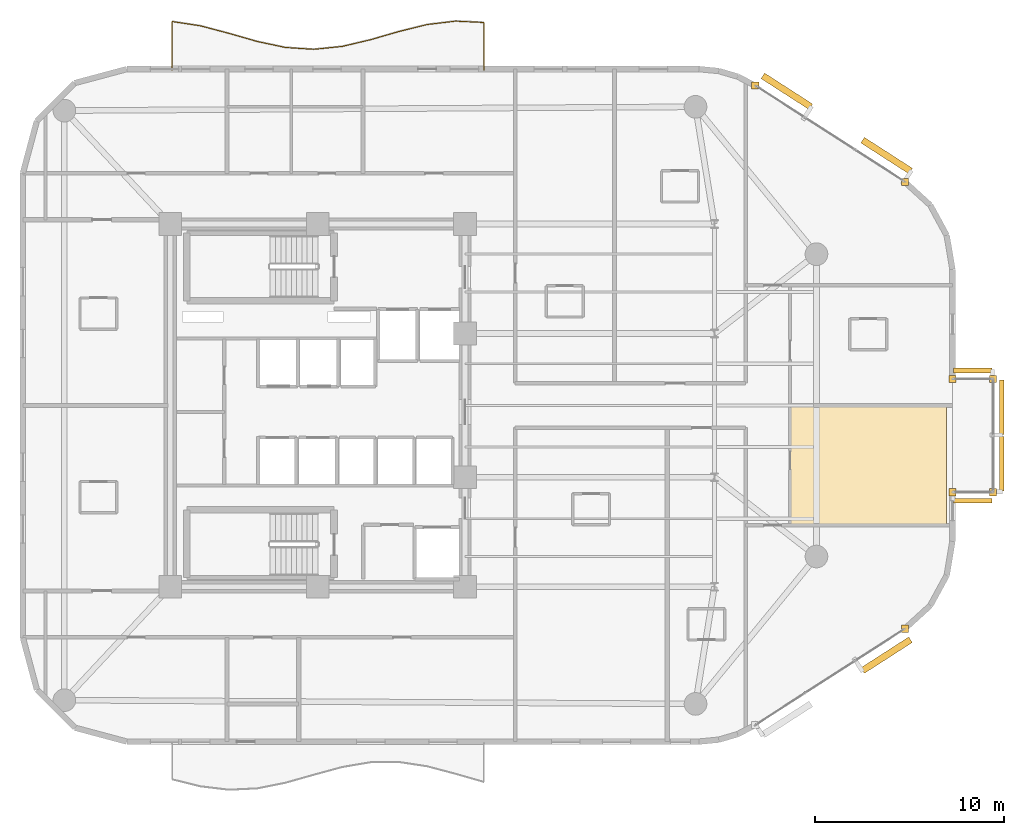
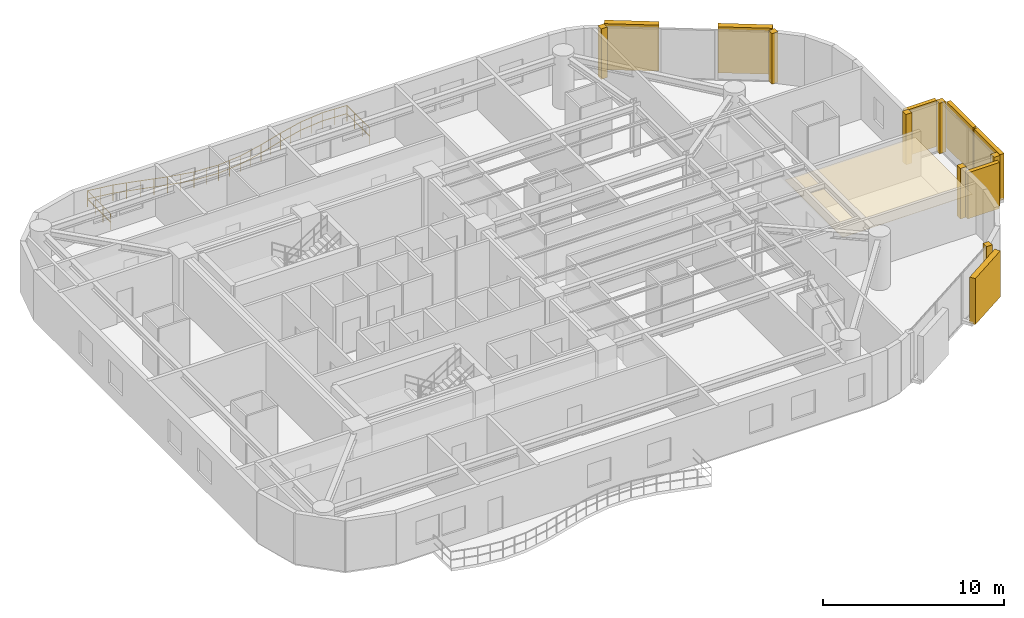
# One storey, part 16 of 16: 8 coverings, 7 shading devices, 1 railing.
"""IFC4 building model written with IfcOpenShell, lengths in metres."""

import ifcopenshell
import ifcopenshell.guid

model = None  # the IFC model being written
_history = None  # IfcOwnerHistory: only IFC2X3 demands one
_inside = {}  # id of a spatial element -> (the spatial element, [elements in it])
_under = {}  # id of a project, library or spatial element -> (it, [spatial elements below it])
_declared = {}  # id of a project -> (the project, [libraries it declares])
_typed = {}  # id of a type object -> (the type object, [elements of that type])
_made_of = {}  # id of a material, layer set ... -> (it, [elements and type objects made of it])


def new_model(schema):
    """Start an empty IFC model of exactly this schema.

    Asked for "IFC4X3", IfcOpenShell would pick the latest addendum, in which some entities
    have other attributes; the version numbers below select the first issue.
    IFC2X3 requires an IfcOwnerHistory on every rooted entity: one is made here for all.
    """
    global model, _history
    if schema == "IFC4X3":
        model = ifcopenshell.file(schema_version=(4, 3, 0, 0))
    else:
        model = ifcopenshell.file(schema=schema)
    _inside.clear()
    _under.clear()
    _declared.clear()
    _typed.clear()
    _made_of.clear()
    _history = None
    if model.schema == "IFC2X3":
        org = make("IfcOrganization", Name="unknown")
        user = make(
            "IfcPersonAndOrganization",
            ThePerson=make("IfcPerson", FamilyName="unknown"),
            TheOrganization=org,
        )
        app = make(
            "IfcApplication",
            ApplicationDeveloper=org,
            Version="unknown",
            ApplicationFullName="unknown",
            ApplicationIdentifier="unknown",
        )
        _history = make(
            "IfcOwnerHistory",
            OwningUser=user,
            OwningApplication=app,
            ChangeAction="ADDED",
            CreationDate=0,
        )
    return model


def make(cls, **values):
    """One entity of the class cls with the attributes given. An attribute that is None is left unset."""
    return model.create_entity(
        cls, **{name: value for name, value in values.items() if value is not None}
    )


def rooted(cls, **values):
    """An entity with a GlobalId (a new one), such as an element, a storey or a relation."""
    return make(cls, GlobalId=ifcopenshell.guid.new(), OwnerHistory=_history, **values)


def si_unit(unit_type, name, prefix=None):
    """IfcSIUnit, for example si_unit("LENGTHUNIT", "METRE", prefix="MILLI")."""
    return make("IfcSIUnit", UnitType=unit_type, Prefix=prefix, Name=name)


def assignment(units):
    """IfcUnitAssignment: the units of a project."""
    return None if units is None else make("IfcUnitAssignment", Units=units)


def point(xyz):
    """IfcCartesianPoint."""
    return None if xyz is None else make("IfcCartesianPoint", Coordinates=xyz)


def direction(xyz):
    """IfcDirection."""
    return None if xyz is None else make("IfcDirection", DirectionRatios=xyz)


def frame(location, z_axis=None, x_axis=None):
    """IfcAxis2Placement3D, a coordinate frame: its origin and axes. An axis left out is left unset."""
    return make(
        "IfcAxis2Placement3D",
        Location=point(location),
        Axis=direction(z_axis),
        RefDirection=direction(x_axis),
    )


def frame_2d(location, x_axis=None):
    """IfcAxis2Placement2D, a coordinate frame in the plane: its origin and x axis."""
    return make(
        "IfcAxis2Placement2D", Location=point(location), RefDirection=direction(x_axis)
    )


def origin():
    """The frame at (0, 0, 0) with its axes left unset."""
    return frame((0.0, 0.0, 0.0))


def origin_2d():
    """The frame at (0, 0) in the plane with its x axis left unset."""
    return frame_2d((0.0, 0.0))


def place(relative_to, where):
    """IfcLocalPlacement: puts the frame where relative to a parent placement (None: the world)."""
    return make(
        "IfcLocalPlacement", PlacementRelTo=relative_to, RelativePlacement=where
    )


def context(
    kind, dimensions, precision=None, world=None, true_north=None, identifier=None
):
    """IfcGeometricRepresentationContext, for example the 3D "Model" context."""
    return make(
        "IfcGeometricRepresentationContext",
        ContextIdentifier=identifier,
        ContextType=kind,
        CoordinateSpaceDimension=dimensions,
        Precision=precision,
        WorldCoordinateSystem=world,
        TrueNorth=true_north,
    )


def subcontext(parent, identifier, kind, view, scale=None):
    """IfcGeometricRepresentationSubContext, for example "Body" below "Model"."""
    return make(
        "IfcGeometricRepresentationSubContext",
        ContextIdentifier=identifier,
        ContextType=kind,
        ParentContext=parent,
        TargetScale=scale,
        TargetView=view,
    )


def project(units=None, contexts=None):
    """IfcProject with its units and contexts."""
    return rooted(
        "IfcProject",
        Name="project",
        RepresentationContexts=contexts,
        UnitsInContext=assignment(units),
    )


def spatial(cls, under=None, at=None, **own):
    """A site, building, storey or space (cls), placed at a placement, below another one or the project."""
    s = rooted(cls, ObjectPlacement=at, **own)
    if under is not None:
        _under.setdefault(under.id(), (under, []))[1].append(s)
    return s


def polyline(points):
    """IfcPolyline through the points."""
    return make("IfcPolyline", Points=[point(p) for p in points])


def profile(cls, at=None, kind="AREA", **sizes):
    """A parametric profile (cls). Its sizes go by their IFC names, for example OverallWidth=200.0."""
    return make(cls, ProfileType=kind, Position=at, **sizes)


def rectangle(**sizes):
    """IfcRectangleProfileDef."""
    return profile("IfcRectangleProfileDef", **sizes)


def circle(**sizes):
    """IfcCircleProfileDef."""
    return profile("IfcCircleProfileDef", **sizes)


def outline(outer, holes=None, kind="AREA"):
    """IfcArbitraryClosedProfileDef: a profile drawn as a closed curve; with holes, ...WithVoids."""
    if holes is None:
        return make("IfcArbitraryClosedProfileDef", ProfileType=kind, OuterCurve=outer)
    return make(
        "IfcArbitraryProfileDefWithVoids",
        ProfileType=kind,
        OuterCurve=outer,
        InnerCurves=holes,
    )


def extrude(swept, where, along, depth):
    """IfcExtrudedAreaSolid: the profile swept, set in the frame where, extruded along a direction by depth."""
    return make(
        "IfcExtrudedAreaSolid",
        SweptArea=swept,
        Position=where,
        ExtrudedDirection=direction(along),
        Depth=depth,
    )


def shape(context_of_items, identifier, shape_type, items):
    """IfcShapeRepresentation: the items that make up one representation, for example the "Body"."""
    return make(
        "IfcShapeRepresentation",
        ContextOfItems=context_of_items,
        RepresentationIdentifier=identifier,
        RepresentationType=shape_type,
        Items=items,
    )


def material(Name=None, Category=None):
    """IfcMaterial."""
    return make("IfcMaterial", Name=Name, Category=Category)


def layer(
    of_material, thickness, ventilated=None, Name=None, Category=None, Priority=None
):
    """IfcMaterialLayer: one layer of a wall or slab, of a material (None: an air gap)."""
    return make(
        "IfcMaterialLayer",
        Material=of_material,
        LayerThickness=thickness,
        IsVentilated=ventilated,
        Name=Name,
        Category=Category,
        Priority=Priority,
    )


def layer_set(layers, Name=None):
    """IfcMaterialLayerSet."""
    return make("IfcMaterialLayerSet", MaterialLayers=layers, LayerSetName=Name)


def made_of(thing, what):
    """Note that an element or type object is made of a material, layer set ...; save() writes the relation."""
    if what is not None:
        _made_of.setdefault(what.id(), (what, []))[1].append(thing)
    return thing


def type_object(cls, material=None, **own):
    """A type object (cls), such as IfcWallType, which elements share."""
    return made_of(rooted(cls, **own), material)


def element(
    cls,
    number,
    at=None,
    inside=None,
    cuts=None,
    type_object=None,
    material=None,
    context=None,
    identifier="Body",
    shape_type=None,
    held_by="IfcProductDefinitionShape",
    body=None,
    shapes=None,
    **own,
):
    """One element of the class cls, such as IfcWall. Its Tag is "e" and its number.

    at: its placement. inside: the storey or other place that contains it. cuts: it is an
    opening in that element (IfcRelVoidsElement). A single representation is given by context,
    identifier, shape_type and body (its items); several are given by shapes. held_by: the class
    of the entity that holds the representations. save() writes the other relations.
    """
    e = rooted(cls, Tag="e%d" % number, ObjectPlacement=at, **own)
    if body is not None:
        shapes = [shape(context, identifier, shape_type, body)]
    if shapes is not None:
        e.Representation = make(held_by, Representations=shapes)
    if inside is not None:
        _inside.setdefault(inside.id(), (inside, []))[1].append(e)
    if cuts is not None:
        rooted(
            "IfcRelVoidsElement", RelatingBuildingElement=cuts, RelatedOpeningElement=e
        )
    if type_object is not None:
        _typed.setdefault(type_object.id(), (type_object, []))[1].append(e)
    return made_of(e, material)


def aggregate(whole, parts):
    """IfcRelAggregates: a whole, such as a stair, and the parts it consists of."""
    return rooted("IfcRelAggregates", RelatingObject=whole, RelatedObjects=parts)


def save(model, path):
    """Write the relations noted so far, then the file.

    IfcRelAggregates (storeys below a building ...), IfcRelContainedInSpatialStructure (elements
    in a storey), IfcRelDefinesByType, IfcRelAssociatesMaterial and IfcRelDeclares: one each for
    every whole, place, type object, material and project.
    """
    for whole, parts in _under.values():
        aggregate(whole, parts)
    for where, things in _inside.values():
        rooted(
            "IfcRelContainedInSpatialStructure",
            RelatedElements=things,
            RelatingStructure=where,
        )
    for kind, things in _typed.values():
        rooted("IfcRelDefinesByType", RelatedObjects=things, RelatingType=kind)
    for what, things in _made_of.values():
        rooted("IfcRelAssociatesMaterial", RelatedObjects=things, RelatingMaterial=what)
    for by, libraries in _declared.values():
        rooted("IfcRelDeclares", RelatingContext=by, RelatedDefinitions=libraries)
    model.write(path)


model = new_model("IFC4")

# Units and contexts
model_context = context("Model", 3, precision=1e-05, world=origin(), true_north=direction((0.0, 1.0)))
body_context = subcontext(model_context, "Body", "Model", "MODEL_VIEW")
ifc_project = project(units=[si_unit("LENGTHUNIT", "METRE"), si_unit("AREAUNIT", "SQUARE_METRE"), si_unit("VOLUMEUNIT", "CUBIC_METRE"), si_unit("PLANEANGLEUNIT", "RADIAN"), si_unit("MASSUNIT", "GRAM", prefix="KILO")], contexts=[model_context])

# Site, building, storey
site_placement = place(None, origin())
site = spatial("IfcSite", under=ifc_project, at=site_placement, CompositionType="ELEMENT")
building_placement = place(site_placement, origin())
building = spatial("IfcBuilding", under=site, at=building_placement, Name="An Khanh Terracotta Commons", CompositionType="ELEMENT")
storey_placement = place(building_placement, frame((0.0, 0.0, 151.0)))
storey = spatial("IfcBuildingStorey", under=building, at=storey_placement, Name="L39", CompositionType="ELEMENT", Elevation=151.0)

# Coverings
ifc_material_1 = material(Name="Perforated Mineral-Fibre Acoustic Tile")
ifc_layer_1 = layer(ifc_material_1, 0.02001953125, Name="Perforated Mineral-Fibre Acoustic Tile")
ifc_layer_set_1 = layer_set([ifc_layer_1], Name="Perforated Mineral-Fibre Acoustic Tile")
covering_type_1 = type_object("IfcCoveringType", Name="CEIL-ACOUSTIC-18", PredefinedType="CEILING", material=ifc_layer_set_1)
covering_placement = place(storey_placement, frame((0.0, 0.0, 2.64990234375)))
element("IfcCovering", 1, at=covering_placement, inside=storey, type_object=covering_type_1, Name="L39 Riverfront Study Lounge Ceiling", PredefinedType="CEILING", context=body_context, shape_type="SweptSolid", body=[
    extrude(outline(polyline([(62.679931640625, 17.64990234375), (54.39990234375, 17.64990234375), (54.39990234375, 22.820068359375), (54.39990234375, 24.0), (62.679931640625, 24.0), (62.679931640625, 17.64990234375)])), origin(), (0.0, 0.0, 1.0), 0.02001953125),
])
ifc_material_2 = material(Name="Fired Terracotta Rainscreen Cladding", Category="masonry")
ifc_layer_2 = layer(ifc_material_2, 0.080078125, Name="Fired Terracotta Rainscreen Cladding")
ifc_layer_set_2 = layer_set([ifc_layer_2], Name="Fired Terracotta Rainscreen Cladding")
covering_type_2 = type_object("IfcCoveringType", Name="COV-JAMB-TERRA", PredefinedType="CLADDING", material=ifc_layer_set_2)
for number, where, z_axis, x_axis, name in (
    (2, (60.47802734375, 12.176025390625, 0.0), (0.0, 0.0, 1.0), (1.0, 0.0, 0.0), "L39 CW-03 Curtain-Wall Jamb Closure JB"),
    (3, (65.14990234375, 19.39990234375, 0.0), (0.0, 0.0, 1.0), (1.0, 0.0, 0.0), "L39 CW-04 Curtain-Wall Jamb Closure JA"),
    (4, (65.14990234375, 25.39990234375, 0.0), (0.0, 0.0, 1.0), (1.0, 0.0, 0.0), "L39 CW-04 Curtain-Wall Jamb Closure JB"),
    (5, (63.0, 19.39990234375, 0.0), (0.0, 0.0, 1.0), (1.0, 0.0, 0.0), "L39 CW-04 Curtain-Wall Jamb Closure JA"),
    (6, (63.0, 25.39990234375, 0.0), (0.0, 0.0, 1.0), (1.0, 0.0, 0.0), "L39 CW-04 Curtain-Wall Jamb Closure JB"),
    (7, (60.47802734375, 35.823974609375, 0.0), (0.0, 0.0, 1.0), (1.0, 0.0, 0.0), "L39 CW-03 Curtain-Wall Jamb Closure JA"),
    (8, (52.56005859375, 40.924072265625, 0.0), (0.0, 0.0, 1.0), (1.0, 0.0, 0.0), "L39 CW-03 Curtain-Wall Jamb Closure JB"),
):
    element("IfcCovering", number, at=place(storey_placement, frame(where, z_axis=z_axis, x_axis=x_axis)), inside=storey, type_object=covering_type_2, Name=name, PredefinedType="CLADDING", context=body_context, shape_type="SweptSolid", body=[
        extrude(rectangle(XDim=0.3798828125, YDim=0.3798828125, at=origin_2d()), origin(), (0.0, 0.0, 1.0), 3.39990234375),
    ])

# Railing
ifc_material_3 = material(Name="Brushed Stainless Steel 316", Category="steel")
railing_type = type_object("IfcRailingType", Name="RAIL-BALUSTRADE-1100", PredefinedType="BALUSTRADE", material=ifc_material_3)
railing_placement = place(storey_placement, frame((38.199951171875, 41.739990234375, 0.0)))
element("IfcRailing", 9, at=railing_placement, inside=storey, type_object=railing_type, Name="L39 N Wave Balcony Guard Balustrade", PredefinedType="BALUSTRADE", context=body_context, shape_type="SweptSolid", body=[
    extrude(circle(Radius=0.02392578125, at=origin_2d()), frame((0.0, 0.0, 1.076171875), z_axis=(0.0, 1.0, 0.0), x_axis=(-1.0, 0.0, 0.0)), (0.0, 0.0, 1.0), 2.52294921875),
    extrude(circle(Radius=0.02392578125, at=origin_2d()), frame((0.0, 0.0, 0.52587890625), z_axis=(0.0, 1.0, 0.0), x_axis=(-1.0, 0.0, 0.0)), (0.0, 0.0, 1.0), 2.52294921875),
    extrude(circle(Radius=0.02392578125, at=origin_2d()), frame((0.0, 2.52294921875, 1.076171875), z_axis=(-0.998880243389, 0.047310245903, 0.0), x_axis=(-0.047310245903, -0.998880243389, 0.0)), (0.0, 0.0, 1.0), 1.501708984375),
    extrude(circle(Radius=0.02392578125, at=origin_2d()), frame((0.0, 2.52294921875, 0.52587890625), z_axis=(-0.998880243389, 0.047310245903, 0.0), x_axis=(-0.047310245903, -0.998880243389, 0.0)), (0.0, 0.0, 1.0), 1.501708984375),
    extrude(circle(Radius=0.02392578125, at=origin_2d()), frame((-1.5, 2.593994140625, 1.076171875), z_axis=(-0.99288219023, -0.11910061429, 0.0), x_axis=(0.11910061429, -0.99288219023, 0.0)), (0.0, 0.0, 1.0), 1.5107421875),
    extrude(circle(Radius=0.02392578125, at=origin_2d()), frame((-1.5, 2.593994140625, 0.52587890625), z_axis=(-0.99288219023, -0.11910061429, 0.0), x_axis=(0.11910061429, -0.99288219023, 0.0)), (0.0, 0.0, 1.0), 1.5107421875),
    extrude(circle(Radius=0.02392578125, at=origin_2d()), frame((-3.0, 2.4140625, 1.076171875), z_axis=(-0.970881568768, -0.239559970419, 0.0), x_axis=(0.239559970419, -0.970881568768, 0.0)), (0.0, 0.0, 1.0), 1.544921875),
    extrude(circle(Radius=0.02392578125, at=origin_2d()), frame((-3.0, 2.4140625, 0.52587890625), z_axis=(-0.970881568768, -0.239559970419, 0.0), x_axis=(0.239559970419, -0.970881568768, 0.0)), (0.0, 0.0, 1.0), 1.544921875),
    extrude(circle(Radius=0.02392578125, at=origin_2d()), frame((-4.5, 2.0439453125, 1.076171875), z_axis=(-0.960460913759, -0.278414857976, 0.0), x_axis=(0.278414857976, -0.960460913759, 0.0)), (0.0, 0.0, 1.0), 1.561767578125),
    extrude(circle(Radius=0.02392578125, at=origin_2d()), frame((-4.5, 2.0439453125, 0.52587890625), z_axis=(-0.960460913759, -0.278414857976, 0.0), x_axis=(0.278414857976, -0.960460913759, 0.0)), (0.0, 0.0, 1.0), 1.561767578125),
    extrude(circle(Radius=0.02392578125, at=origin_2d()), frame((-6.0, 1.609130859375, 1.076171875), z_axis=(-0.973263214687, -0.229692653206, 0.0), x_axis=(0.229692653206, -0.973263214687, 0.0)), (0.0, 0.0, 1.0), 1.541259765625),
    extrude(circle(Radius=0.02392578125, at=origin_2d()), frame((-6.0, 1.609130859375, 0.52587890625), z_axis=(-0.973263214687, -0.229692653206, 0.0), x_axis=(0.229692653206, -0.973263214687, 0.0)), (0.0, 0.0, 1.0), 1.541259765625),
    extrude(circle(Radius=0.02392578125, at=origin_2d()), frame((-7.5, 1.255126953125, 1.076171875), z_axis=(-0.994833141332, -0.101523499286, 0.0), x_axis=(0.101523499286, -0.994833141332, 0.0)), (0.0, 0.0, 1.0), 1.5078125),
    extrude(circle(Radius=0.02392578125, at=origin_2d()), frame((-7.5, 1.255126953125, 0.52587890625), z_axis=(-0.994833141332, -0.101523499286, 0.0), x_axis=(0.101523499286, -0.994833141332, 0.0)), (0.0, 0.0, 1.0), 1.5078125),
    extrude(circle(Radius=0.02392578125, at=origin_2d()), frame((-9.0, 1.10205078125, 1.076171875), z_axis=(-0.99787689467, 0.065128358523, 0.0), x_axis=(-0.065128358523, -0.99787689467, 0.0)), (0.0, 0.0, 1.0), 1.503173828125),
    extrude(circle(Radius=0.02392578125, at=origin_2d()), frame((-9.0, 1.10205078125, 0.52587890625), z_axis=(-0.99787689467, 0.065128358523, 0.0), x_axis=(-0.065128358523, -0.99787689467, 0.0)), (0.0, 0.0, 1.0), 1.503173828125),
    extrude(circle(Radius=0.02392578125, at=origin_2d()), frame((-10.5, 1.199951171875, 1.076171875), z_axis=(-0.978242938641, 0.207462654468, 0.0), x_axis=(-0.207462654468, -0.978242938641, 0.0)), (0.0, 0.0, 1.0), 1.533447265625),
    extrude(circle(Radius=0.02392578125, at=origin_2d()), frame((-10.5, 1.199951171875, 0.52587890625), z_axis=(-0.978242938641, 0.207462654468, 0.0), x_axis=(-0.207462654468, -0.978242938641, 0.0)), (0.0, 0.0, 1.0), 1.533447265625),
    extrude(circle(Radius=0.02392578125, at=origin_2d()), frame((-12.0, 1.51806640625, 1.076171875), z_axis=(-0.961293347262, 0.275526950607, 0.0), x_axis=(-0.275526950607, -0.961293347262, 0.0)), (0.0, 0.0, 1.0), 1.560302734375),
    extrude(circle(Radius=0.02392578125, at=origin_2d()), frame((-12.0, 1.51806640625, 0.52587890625), z_axis=(-0.961293347262, 0.275526950607, 0.0), x_axis=(-0.275526950607, -0.961293347262, 0.0)), (0.0, 0.0, 1.0), 1.560302734375),
    extrude(circle(Radius=0.02392578125, at=origin_2d()), frame((-13.5, 1.947998046875, 1.076171875), z_axis=(-0.966718963822, 0.255840663277, 0.0), x_axis=(-0.255840663277, -0.966718963822, 0.0)), (0.0, 0.0, 1.0), 1.5517578125),
    extrude(circle(Radius=0.02392578125, at=origin_2d()), frame((-13.5, 1.947998046875, 0.52587890625), z_axis=(-0.966718963822, 0.255840663277, 0.0), x_axis=(-0.255840663277, -0.966718963822, 0.0)), (0.0, 0.0, 1.0), 1.5517578125),
    extrude(circle(Radius=0.02392578125, at=origin_2d()), frame((-15.0, 2.344970703125, 1.076171875), z_axis=(-0.988545890906, 0.15092058035, 0.0), x_axis=(-0.15092058035, -0.988545890906, 0.0)), (0.0, 0.0, 1.0), 1.517333984375),
    extrude(circle(Radius=0.02392578125, at=origin_2d()), frame((-15.0, 2.344970703125, 0.52587890625), z_axis=(-0.988545890906, 0.15092058035, 0.0), x_axis=(-0.15092058035, -0.988545890906, 0.0)), (0.0, 0.0, 1.0), 1.517333984375),
    extrude(circle(Radius=0.02392578125, at=origin_2d()), frame((-16.5, 2.573974609375, 1.076171875), z_axis=(0.0, -1.0, 0.0), x_axis=(1.0, 0.0, 0.0)), (0.0, 0.0, 1.0), 2.573974609375),
    extrude(circle(Radius=0.02392578125, at=origin_2d()), frame((-16.5, 2.573974609375, 0.52587890625), z_axis=(0.0, -1.0, 0.0), x_axis=(1.0, 0.0, 0.0)), (0.0, 0.0, 1.0), 2.573974609375),
    extrude(circle(Radius=0.02099609375, at=origin_2d()), origin(), (0.0, 0.0, 1.0), 1.052001953125),
    extrude(circle(Radius=0.02099609375, at=origin_2d()), frame((0.0, 0.841064453125, 0.0)), (0.0, 0.0, 1.0), 1.052001953125),
    extrude(circle(Radius=0.02099609375, at=origin_2d()), frame((0.0, 1.681884765625, 0.0)), (0.0, 0.0, 1.0), 1.052001953125),
    extrude(circle(Radius=0.02099609375, at=origin_2d()), frame((0.0, 2.52294921875, 0.0)), (0.0, 0.0, 1.0), 1.052001953125),
    extrude(circle(Radius=0.02099609375, at=origin_2d()), frame((-0.75, 2.55859375, 0.0)), (0.0, 0.0, 1.0), 1.052001953125),
    extrude(circle(Radius=0.02099609375, at=origin_2d()), frame((-1.5, 2.593994140625, 0.0)), (0.0, 0.0, 1.0), 1.052001953125),
    extrude(circle(Radius=0.02099609375, at=origin_2d()), frame((-2.25, 2.50390625, 0.0)), (0.0, 0.0, 1.0), 1.052001953125),
    extrude(circle(Radius=0.02099609375, at=origin_2d()), frame((-3.0, 2.4140625, 0.0)), (0.0, 0.0, 1.0), 1.052001953125),
    extrude(circle(Radius=0.02099609375, at=origin_2d()), frame((-3.75, 2.22900390625, 0.0)), (0.0, 0.0, 1.0), 1.052001953125),
    extrude(circle(Radius=0.02099609375, at=origin_2d()), frame((-4.5, 2.0439453125, 0.0)), (0.0, 0.0, 1.0), 1.052001953125),
    extrude(circle(Radius=0.02099609375, at=origin_2d()), frame((-5.25, 1.82666015625, 0.0)), (0.0, 0.0, 1.0), 1.052001953125),
    extrude(circle(Radius=0.02099609375, at=origin_2d()), frame((-6.0, 1.609130859375, 0.0)), (0.0, 0.0, 1.0), 1.052001953125),
    extrude(circle(Radius=0.02099609375, at=origin_2d()), frame((-6.75, 1.43212890625, 0.0)), (0.0, 0.0, 1.0), 1.052001953125),
    extrude(circle(Radius=0.02099609375, at=origin_2d()), frame((-7.5, 1.255126953125, 0.0)), (0.0, 0.0, 1.0), 1.052001953125),
    extrude(circle(Radius=0.02099609375, at=origin_2d()), frame((-8.25, 1.1787109375, 0.0)), (0.0, 0.0, 1.0), 1.052001953125),
    extrude(circle(Radius=0.02099609375, at=origin_2d()), frame((-9.0, 1.10205078125, 0.0)), (0.0, 0.0, 1.0), 1.052001953125),
    extrude(circle(Radius=0.02099609375, at=origin_2d()), frame((-9.75, 1.15087890625, 0.0)), (0.0, 0.0, 1.0), 1.052001953125),
    extrude(circle(Radius=0.02099609375, at=origin_2d()), frame((-10.5, 1.199951171875, 0.0)), (0.0, 0.0, 1.0), 1.052001953125),
    extrude(circle(Radius=0.02099609375, at=origin_2d()), frame((-11.25, 1.35888671875, 0.0)), (0.0, 0.0, 1.0), 1.052001953125),
    extrude(circle(Radius=0.02099609375, at=origin_2d()), frame((-12.0, 1.51806640625, 0.0)), (0.0, 0.0, 1.0), 1.052001953125),
    extrude(circle(Radius=0.02099609375, at=origin_2d()), frame((-12.75, 1.73291015625, 0.0)), (0.0, 0.0, 1.0), 1.052001953125),
    extrude(circle(Radius=0.02099609375, at=origin_2d()), frame((-13.5, 1.947998046875, 0.0)), (0.0, 0.0, 1.0), 1.052001953125),
    extrude(circle(Radius=0.02099609375, at=origin_2d()), frame((-14.25, 2.146484375, 0.0)), (0.0, 0.0, 1.0), 1.052001953125),
    extrude(circle(Radius=0.02099609375, at=origin_2d()), frame((-15.0, 2.344970703125, 0.0)), (0.0, 0.0, 1.0), 1.052001953125),
    extrude(circle(Radius=0.02099609375, at=origin_2d()), frame((-15.75, 2.45947265625, 0.0)), (0.0, 0.0, 1.0), 1.052001953125),
    extrude(circle(Radius=0.02099609375, at=origin_2d()), frame((-16.5, 2.573974609375, 0.0)), (0.0, 0.0, 1.0), 1.052001953125),
    extrude(circle(Radius=0.02099609375, at=origin_2d()), frame((-16.5, 1.716064453125, 0.0)), (0.0, 0.0, 1.0), 1.052001953125),
    extrude(circle(Radius=0.02099609375, at=origin_2d()), frame((-16.5, 0.85791015625, 0.0)), (0.0, 0.0, 1.0), 1.052001953125),
    extrude(circle(Radius=0.02099609375, at=origin_2d()), frame((-16.5, 0.0, 0.0)), (0.0, 0.0, 1.0), 1.052001953125),
])

# Shading devices
ifc_material_4 = material(Name="Warm Hardwood Timber-Finish Aluminium", Category="wood")
shading_device_type_1 = type_object("IfcShadingDeviceType", Name="Shifted Box Timber-Toned Louvre Screen", PredefinedType="USERDEFINED", material=ifc_material_4)
for number, where, z_axis, x_axis, name in (
    (10, (65.60009765625, 20.89990234375, 0.14990234375), (0.0, 0.0, 1.0), (0.0, 1.0, 0.0), "L39 Louvre Screen 1"),
    (11, (65.60009765625, 23.89990234375, 0.14990234375), (0.0, 0.0, 1.0), (0.0, 1.0, 0.0), "L39 Louvre Screen 2"),
):
    element("IfcShadingDevice", number, at=place(storey_placement, frame(where, z_axis=z_axis, x_axis=x_axis)), inside=storey, type_object=shading_device_type_1, Name=name, ObjectType="LOUVRE", PredefinedType="USERDEFINED", context=body_context, shape_type="SweptSolid", body=[
        extrude(rectangle(XDim=2.8798828125, YDim=0.25, at=origin_2d()), origin(), (0.0, 0.0, 1.0), 3.10009765625),
    ])
for number, where, z_axis, x_axis, name in (
    (12, (64.074951171875, 18.949951171875, 0.14990234375), (0.0, 0.0, 1.0), (1.0, 0.0, 0.0), "L39 Louvre Screen 1"),
    (13, (64.074951171875, 25.85009765625, 0.14990234375), (0.0, 0.0, 1.0), (-1.0, 0.0, 0.0), "L39 Louvre Screen 1"),
):
    element("IfcShadingDevice", number, at=place(storey_placement, frame(where, z_axis=z_axis, x_axis=x_axis)), inside=storey, type_object=shading_device_type_1, Name=name, ObjectType="LOUVRE", PredefinedType="USERDEFINED", context=body_context, shape_type="SweptSolid", body=[
        extrude(rectangle(XDim=2.030029296875, YDim=0.25, at=origin_2d()), origin(), (0.0, 0.0, 1.0), 3.10009765625),
    ])
ifc_material_5 = material(Name="Extruded Fired Terracotta", Category="masonry")
shading_device_type_2 = type_object("IfcShadingDeviceType", Name="Terracotta Baguette Screen Assembly", PredefinedType="USERDEFINED", material=ifc_material_5)
for number, where, z_axis, x_axis, name in (
    (14, (59.510009765625, 10.780029296875, 0.14990234375), (0.0, 0.0, 1.0), (0.840702081986, 0.541497931062, 0.0), "L39 Terracotta Baguette Screen 3"),
    (15, (59.510009765625, 37.219970703125, 0.14990234375), (0.0, 0.0, 1.0), (-0.840702081986, 0.541497931062, 0.0), "L39 Terracotta Baguette Screen 1"),
    (16, (54.23193359375, 40.6201171875, 0.14990234375), (0.0, 0.0, 1.0), (-0.840702081986, 0.541497931062, 0.0), "L39 Terracotta Baguette Screen 3"),
):
    element("IfcShadingDevice", number, at=place(storey_placement, frame(where, z_axis=z_axis, x_axis=x_axis)), inside=storey, type_object=shading_device_type_2, Name=name, ObjectType="BAGUETTE", PredefinedType="USERDEFINED", context=body_context, shape_type="SweptSolid", body=[
        extrude(rectangle(XDim=3.01904296875, YDim=0.35009765625, at=origin_2d()), origin(), (0.0, 0.0, 1.0), 3.10009765625),
    ])

save(model, "model.ifc")
